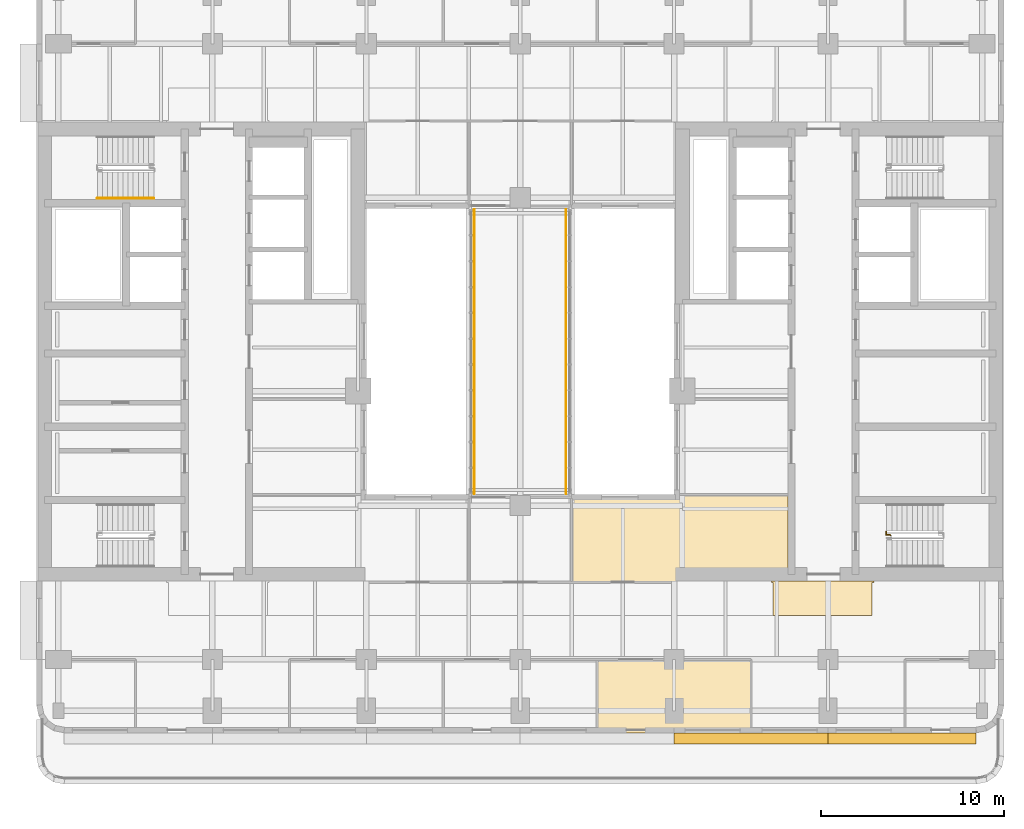
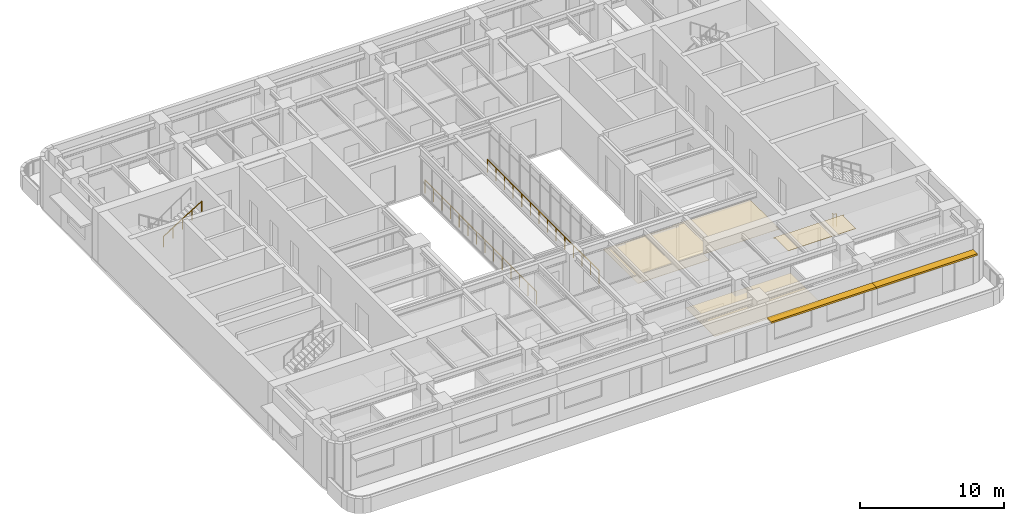
# One storey, part 13 of 15: 4 railings, 3 coverings, 2 shading devices.
"""IFC4 building model written with IfcOpenShell, lengths in metres."""

from ifc_helpers import new_model, si_unit, direction, frame, origin, origin_2d, place, context, subcontext, project, spatial, polyline, rectangle, circle, outline, extrude, material, layer, layer_set, type_object, element, save


model = new_model("IFC4")

# Units and contexts
model_context = context("Model", 3, precision=1e-05, world=origin(), true_north=direction((0.0, 1.0)))
body_context = subcontext(model_context, "Body", "Model", "MODEL_VIEW")
ifc_project = project(units=[si_unit("LENGTHUNIT", "METRE"), si_unit("AREAUNIT", "SQUARE_METRE"), si_unit("VOLUMEUNIT", "CUBIC_METRE"), si_unit("PLANEANGLEUNIT", "RADIAN"), si_unit("MASSUNIT", "GRAM", prefix="KILO")], contexts=[model_context])

# Site, building, storey
site_placement = place(None, origin())
site = spatial("IfcSite", under=ifc_project, at=site_placement, CompositionType="ELEMENT")
building_placement = place(site_placement, origin())
building = spatial("IfcBuilding", under=site, at=building_placement, Name="Claustro Exchange Tower", CompositionType="ELEMENT")
storey_placement = place(building_placement, frame((0.0, 0.0, 173.39990234375)))
storey = spatial("IfcBuildingStorey", under=building, at=storey_placement, Name="L39", CompositionType="ELEMENT", Elevation=173.39990234375)

# Coverings
ifc_material_1 = material(Name="Perforated metal ceiling tiles", Category="steel")
ifc_layer_1 = layer(ifc_material_1, 0.030029296875)
ifc_layer_set_1 = layer_set([ifc_layer_1], Name="Perforated metal ceiling tiles")
covering_type_1 = type_object("IfcCoveringType", Name="CL1 suspended metal ceiling", PredefinedType="CEILING", material=ifc_layer_set_1)
covering_1_placement = place(storey_placement, frame((0.0, 0.0, 2.800048828125)))
element("IfcCovering", 1, at=covering_1_placement, inside=storey, type_object=covering_type_1, Name="Ceiling CL1 L39-10", PredefinedType="CEILING", context=body_context, shape_type="SweptSolid", body=[
    extrude(outline(polyline([(44.39990234375, 10.800048828125), (44.39990234375, 12.60009765625), (44.4951171875, 12.60009765625), (44.4951171875, 12.675048828125), (39.800048828125, 12.675048828125), (39.800048828125, 12.695068359375), (38.905029296875, 12.695068359375), (38.905029296875, 12.60009765625), (39.0, 12.60009765625), (39.0, 10.800048828125), (44.39990234375, 10.800048828125)])), origin(), (0.0, 0.0, 1.0), 0.030029296875),
])
ifc_material_2 = material(Name="Gypsum board ceiling", Category="gypsum board")
ifc_layer_2 = layer(ifc_material_2, 0.02490234375)
ifc_layer_set_2 = layer_set([ifc_layer_2], Name="Gypsum board ceiling")
covering_type_2 = type_object("IfcCoveringType", Name="CL2 plasterboard ceiling", PredefinedType="CEILING", material=ifc_layer_set_2)
covering_2_placement = place(storey_placement, frame((0.0, 0.0, 2.800048828125)))
element("IfcCovering", 2, at=covering_2_placement, inside=storey, type_object=covering_type_2, Name="Ceiling CL2 L39-05", PredefinedType="CEILING", context=body_context, shape_type="SweptSolid", body=[
    extrude(outline(polyline([(29.39990234375, 4.39990234375), (37.800048828125, 4.39990234375), (37.800048828125, 8.39990234375), (29.39990234375, 8.39990234375), (29.39990234375, 4.39990234375)])), origin(), (0.0, 0.0, 1.0), 0.025146484375),
])
covering_3_placement = place(storey_placement, frame((0.0, 0.0, 2.800048828125)))
element("IfcCovering", 3, at=covering_3_placement, inside=storey, type_object=covering_type_2, Name="Ceiling CL2 L39-13", PredefinedType="CEILING", context=body_context, shape_type="SweptSolid", body=[
    extrude(outline(polyline([(39.800048828125, 13.405029296875), (39.800048828125, 17.4951171875), (33.60009765625, 17.4951171875), (33.60009765625, 17.39990234375), (28.0, 17.39990234375), (28.0, 12.60009765625), (33.695068359375, 12.60009765625), (33.695068359375, 13.405029296875), (39.800048828125, 13.405029296875)])), origin(), (0.0, 0.0, 1.0), 0.025146484375),
])

# Railings
ifc_material_3 = material(Name="Laminated glass, stainless steel rail", Category="steel")
railing_type_1 = type_object("IfcRailingType", Name="GR1 1100 glass balustrade guard", PredefinedType="BALUSTRADE", material=ifc_material_3)
railing_1_placement = place(storey_placement, frame((22.699951171875, 17.449951171875, 0.0)))
element("IfcRailing", 4, at=railing_1_placement, inside=storey, type_object=railing_type_1, Name="Sky bridge guard GR1 L39", PredefinedType="BALUSTRADE", context=body_context, shape_type="SweptSolid", body=[
    extrude(circle(Radius=0.02392578125, at=origin_2d()), frame((0.0, 0.0, 1.076171875), z_axis=(0.0, 1.0, 0.0), x_axis=(-1.0, 0.0, 0.0)), (0.0, 0.0, 1.0), 15.5),
    extrude(circle(Radius=0.02099609375, at=origin_2d()), origin(), (0.0, 0.0, 1.0), 1.052001953125),
    extrude(circle(Radius=0.02099609375, at=origin_2d()), frame((0.0, 1.1923828125, 0.0)), (0.0, 0.0, 1.0), 1.052001953125),
    extrude(circle(Radius=0.02099609375, at=origin_2d()), frame((0.0, 2.384521484375, 0.0)), (0.0, 0.0, 1.0), 1.052001953125),
    extrude(circle(Radius=0.02099609375, at=origin_2d()), frame((0.0, 3.576904296875, 0.0)), (0.0, 0.0, 1.0), 1.052001953125),
    extrude(circle(Radius=0.02099609375, at=origin_2d()), frame((0.0, 4.769287109375, 0.0)), (0.0, 0.0, 1.0), 1.052001953125),
    extrude(circle(Radius=0.02099609375, at=origin_2d()), frame((0.0, 5.96142578125, 0.0)), (0.0, 0.0, 1.0), 1.052001953125),
    extrude(circle(Radius=0.02099609375, at=origin_2d()), frame((0.0, 7.15380859375, 0.0)), (0.0, 0.0, 1.0), 1.052001953125),
    extrude(circle(Radius=0.02099609375, at=origin_2d()), frame((0.0, 8.34619140625, 0.0)), (0.0, 0.0, 1.0), 1.052001953125),
    extrude(circle(Radius=0.02099609375, at=origin_2d()), frame((0.0, 9.53857421875, 0.0)), (0.0, 0.0, 1.0), 1.052001953125),
    extrude(circle(Radius=0.02099609375, at=origin_2d()), frame((0.0, 10.730712890625, 0.0)), (0.0, 0.0, 1.0), 1.052001953125),
    extrude(circle(Radius=0.02099609375, at=origin_2d()), frame((0.0, 11.923095703125, 0.0)), (0.0, 0.0, 1.0), 1.052001953125),
    extrude(circle(Radius=0.02099609375, at=origin_2d()), frame((0.0, 13.115478515625, 0.0)), (0.0, 0.0, 1.0), 1.052001953125),
    extrude(circle(Radius=0.02099609375, at=origin_2d()), frame((0.0, 14.3076171875, 0.0)), (0.0, 0.0, 1.0), 1.052001953125),
    extrude(circle(Radius=0.02099609375, at=origin_2d()), frame((0.0, 15.5, 0.0)), (0.0, 0.0, 1.0), 1.052001953125),
])
railing_2_placement = place(storey_placement, frame((27.699951171875, 17.449951171875, 0.0)))
element("IfcRailing", 5, at=railing_2_placement, inside=storey, type_object=railing_type_1, Name="Sky bridge guard GR1 L39", PredefinedType="BALUSTRADE", context=body_context, shape_type="SweptSolid", body=[
    extrude(circle(Radius=0.02392578125, at=origin_2d()), frame((0.0, 0.0, 1.076171875), z_axis=(0.0, 1.0, 0.0), x_axis=(-1.0, 0.0, 0.0)), (0.0, 0.0, 1.0), 15.5),
    extrude(circle(Radius=0.02099609375, at=origin_2d()), origin(), (0.0, 0.0, 1.0), 1.052001953125),
    extrude(circle(Radius=0.02099609375, at=origin_2d()), frame((0.0, 1.1923828125, 0.0)), (0.0, 0.0, 1.0), 1.052001953125),
    extrude(circle(Radius=0.02099609375, at=origin_2d()), frame((0.0, 2.384521484375, 0.0)), (0.0, 0.0, 1.0), 1.052001953125),
    extrude(circle(Radius=0.02099609375, at=origin_2d()), frame((0.0, 3.576904296875, 0.0)), (0.0, 0.0, 1.0), 1.052001953125),
    extrude(circle(Radius=0.02099609375, at=origin_2d()), frame((0.0, 4.769287109375, 0.0)), (0.0, 0.0, 1.0), 1.052001953125),
    extrude(circle(Radius=0.02099609375, at=origin_2d()), frame((0.0, 5.96142578125, 0.0)), (0.0, 0.0, 1.0), 1.052001953125),
    extrude(circle(Radius=0.02099609375, at=origin_2d()), frame((0.0, 7.15380859375, 0.0)), (0.0, 0.0, 1.0), 1.052001953125),
    extrude(circle(Radius=0.02099609375, at=origin_2d()), frame((0.0, 8.34619140625, 0.0)), (0.0, 0.0, 1.0), 1.052001953125),
    extrude(circle(Radius=0.02099609375, at=origin_2d()), frame((0.0, 9.53857421875, 0.0)), (0.0, 0.0, 1.0), 1.052001953125),
    extrude(circle(Radius=0.02099609375, at=origin_2d()), frame((0.0, 10.730712890625, 0.0)), (0.0, 0.0, 1.0), 1.052001953125),
    extrude(circle(Radius=0.02099609375, at=origin_2d()), frame((0.0, 11.923095703125, 0.0)), (0.0, 0.0, 1.0), 1.052001953125),
    extrude(circle(Radius=0.02099609375, at=origin_2d()), frame((0.0, 13.115478515625, 0.0)), (0.0, 0.0, 1.0), 1.052001953125),
    extrude(circle(Radius=0.02099609375, at=origin_2d()), frame((0.0, 14.3076171875, 0.0)), (0.0, 0.0, 1.0), 1.052001953125),
    extrude(circle(Radius=0.02099609375, at=origin_2d()), frame((0.0, 15.5, 0.0)), (0.0, 0.0, 1.0), 1.052001953125),
])
ifc_material_4 = material(Name="Steel balustrade, painted", Category="steel")
railing_type_2 = type_object("IfcRailingType", Name="GR2 1100 steel stair guard", PredefinedType="GUARDRAIL", material=ifc_material_4)
railing_3_placement = place(storey_placement, frame((45.39990234375, 15.169921875, 0.0)))
element("IfcRailing", 6, at=railing_3_placement, inside=storey, type_object=railing_type_2, Name="Stair guard GR2 STEA L39", PredefinedType="GUARDRAIL", context=body_context, shape_type="SweptSolid", body=[
    extrude(circle(Radius=0.02392578125, at=origin_2d()), frame((0.0, 0.0, 1.076171875), z_axis=(0.0, 1.0, 0.0), x_axis=(-1.0, 0.0, 0.0)), (0.0, 0.0, 1.0), 0.030029296875),
    extrude(circle(Radius=0.02392578125, at=origin_2d()), frame((0.0, 0.030029296875, 1.076171875), z_axis=(-1.0, 0.0, 0.0), x_axis=(0.0, -1.0, 0.0)), (0.0, 0.0, 1.0), 0.224853515625),
    extrude(circle(Radius=0.02392578125, at=origin_2d()), frame((-0.224853515625, 0.030029296875, 1.076171875), z_axis=(0.0, 1.0, 0.0), x_axis=(-1.0, 0.0, 0.0)), (0.0, 0.0, 1.0), 0.179931640625),
    extrude(circle(Radius=0.02099609375, at=origin_2d()), origin(), (0.0, 0.0, 1.0), 1.052001953125),
    extrude(circle(Radius=0.02099609375, at=origin_2d()), frame((0.0, 0.030029296875, 0.0)), (0.0, 0.0, 1.0), 1.052001953125),
    extrude(circle(Radius=0.02099609375, at=origin_2d()), frame((-0.224853515625, 0.030029296875, 0.0)), (0.0, 0.0, 1.0), 1.052001953125),
    extrude(circle(Radius=0.02099609375, at=origin_2d()), frame((-0.224853515625, 0.2099609375, 0.0)), (0.0, 0.0, 1.0), 1.052001953125),
])
ifc_material_5 = material(Name="Stainless steel tube", Category="steel")
railing_type_3 = type_object("IfcRailingType", Name="HR1 900 stair handrail", PredefinedType="HANDRAIL", material=ifc_material_5)
railing_4_placement = place(storey_placement, frame((2.1201171875, 33.56005859375, 2.275146484375)))
element("IfcRailing", 7, at=railing_4_placement, inside=storey, type_object=railing_type_3, Name="Handrail HR1 stair STWB L39", PredefinedType="HANDRAIL", context=body_context, shape_type="SweptSolid", body=[
    extrude(circle(Radius=0.02392578125, at=origin_2d()), frame((0.0, 0.0, 0.8759765625), z_axis=(0.847979421464, 0.0, 0.530029150871), x_axis=(0.0, 1.0, 0.0)), (0.0, 0.0, 1.0), 3.632080078125),
    extrude(circle(Radius=0.02099609375, at=origin_2d()), origin(), (0.0, 0.0, 1.0), 0.851806640625),
    extrude(circle(Radius=0.02099609375, at=origin_2d()), frame((0.77001953125, 0.0, 0.481201171875)), (0.0, 0.0, 1.0), 0.851806640625),
    extrude(circle(Radius=0.02099609375, at=origin_2d()), frame((1.5400390625, 0.0, 0.96240234375)), (0.0, 0.0, 1.0), 0.851806640625),
    extrude(circle(Radius=0.02099609375, at=origin_2d()), frame((2.309814453125, 0.0, 1.44384765625)), (0.0, 0.0, 1.0), 0.851806640625),
    extrude(circle(Radius=0.02099609375, at=origin_2d()), frame((3.079833984375, 0.0, 1.925048828125)), (0.0, 0.0, 1.0), 0.851806640625),
])

# Shading devices
ifc_material_6 = material(Name="Concrete HA-40 (C40/50), precast, white cement, acid-etched", Category="concrete")
ifc_layer_3 = layer(ifc_material_6, 0.14990234375)
ifc_layer_set_3 = layer_set([ifc_layer_3], Name="Concrete HA-40 (C40/50), precast, white cement, acid-etched")
shading_device_type = type_object("IfcShadingDeviceType", Name="SS1 600 precast concrete SUNSHADE", PredefinedType="SHUTTER", material=ifc_layer_set_3)
shading_device_1_placement = place(storey_placement, frame((46.04248046875, 4.10009765625, 2.800048828125), z_axis=(0.0, 0.0, 1.0), x_axis=(-1.0, 0.0, 0.0)))
element("IfcShadingDevice", 8, at=shading_device_1_placement, inside=storey, type_object=shading_device_type, Name="Precast SUNSHADE SS1 L39", PredefinedType="SHUTTER", context=body_context, shape_type="SweptSolid", body=[
    extrude(rectangle(XDim=8.085205078125, YDim=0.60009765625, at=origin_2d()), origin(), (0.0, 0.0, 1.0), 0.14990234375),
])
shading_device_2_placement = place(storey_placement, frame((37.800048828125, 4.10009765625, 2.800048828125), z_axis=(0.0, 0.0, 1.0), x_axis=(-1.0, 0.0, 0.0)))
element("IfcShadingDevice", 9, at=shading_device_2_placement, inside=storey, type_object=shading_device_type, Name="Precast SUNSHADE SS1 L39", PredefinedType="SHUTTER", context=body_context, shape_type="SweptSolid", body=[
    extrude(rectangle(XDim=8.39990234375, YDim=0.60009765625, at=origin_2d()), origin(), (0.0, 0.0, 1.0), 0.14990234375),
])

save(model, "model.ifc")
